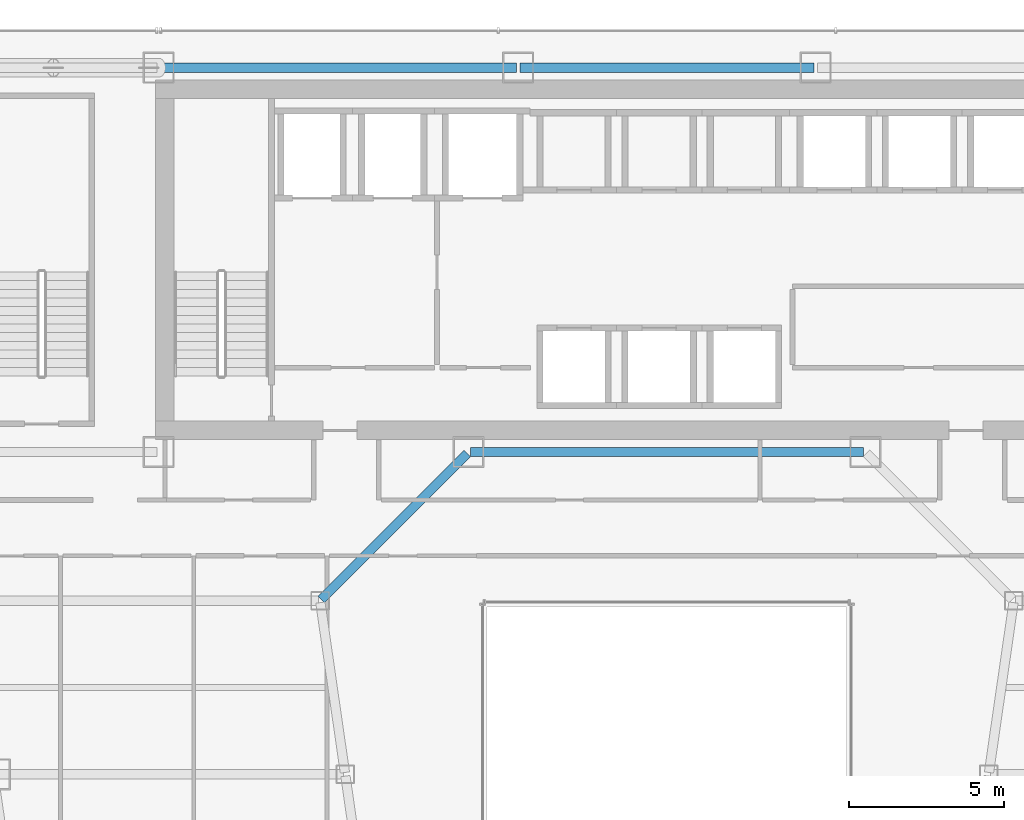
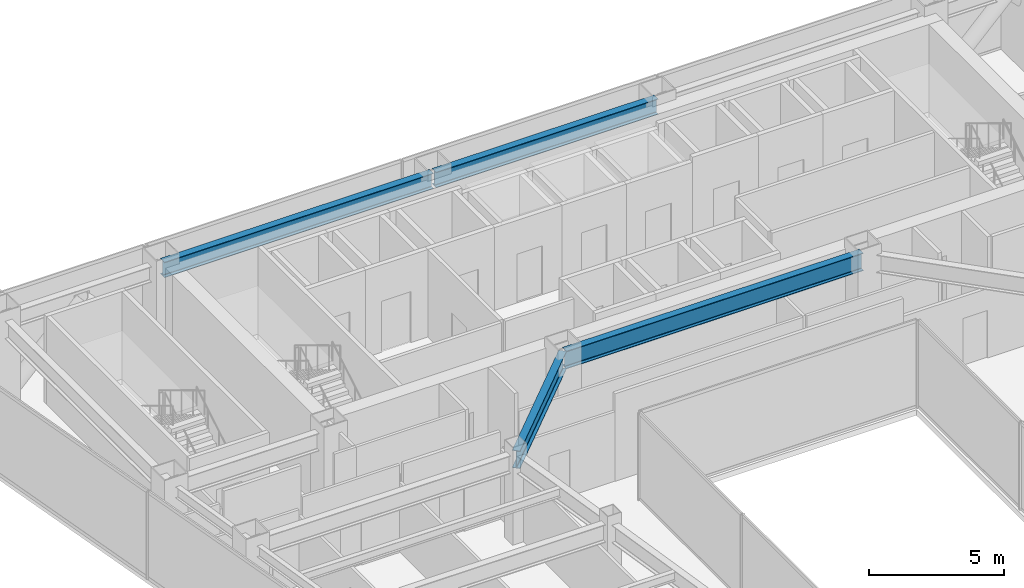
# One storey, part 20 of 36: 4 beams.
"""IFC4 building model written with IfcOpenShell, lengths in metres."""

import ifcopenshell
import ifcopenshell.guid

model = None  # the IFC model being written
_history = None  # IfcOwnerHistory: only IFC2X3 demands one
_inside = {}  # id of a spatial element -> (the spatial element, [elements in it])
_under = {}  # id of a project, library or spatial element -> (it, [spatial elements below it])
_declared = {}  # id of a project -> (the project, [libraries it declares])
_typed = {}  # id of a type object -> (the type object, [elements of that type])
_made_of = {}  # id of a material, layer set ... -> (it, [elements and type objects made of it])


def new_model(schema):
    """Start an empty IFC model of exactly this schema.

    Asked for "IFC4X3", IfcOpenShell would pick the latest addendum, in which some entities
    have other attributes; the version numbers below select the first issue.
    IFC2X3 requires an IfcOwnerHistory on every rooted entity: one is made here for all.
    """
    global model, _history
    if schema == "IFC4X3":
        model = ifcopenshell.file(schema_version=(4, 3, 0, 0))
    else:
        model = ifcopenshell.file(schema=schema)
    _inside.clear()
    _under.clear()
    _declared.clear()
    _typed.clear()
    _made_of.clear()
    _history = None
    if model.schema == "IFC2X3":
        org = make("IfcOrganization", Name="unknown")
        user = make(
            "IfcPersonAndOrganization",
            ThePerson=make("IfcPerson", FamilyName="unknown"),
            TheOrganization=org,
        )
        app = make(
            "IfcApplication",
            ApplicationDeveloper=org,
            Version="unknown",
            ApplicationFullName="unknown",
            ApplicationIdentifier="unknown",
        )
        _history = make(
            "IfcOwnerHistory",
            OwningUser=user,
            OwningApplication=app,
            ChangeAction="ADDED",
            CreationDate=0,
        )
    return model


def make(cls, **values):
    """One entity of the class cls with the attributes given. An attribute that is None is left unset."""
    return model.create_entity(
        cls, **{name: value for name, value in values.items() if value is not None}
    )


def rooted(cls, **values):
    """An entity with a GlobalId (a new one), such as an element, a storey or a relation."""
    return make(cls, GlobalId=ifcopenshell.guid.new(), OwnerHistory=_history, **values)


def si_unit(unit_type, name, prefix=None):
    """IfcSIUnit, for example si_unit("LENGTHUNIT", "METRE", prefix="MILLI")."""
    return make("IfcSIUnit", UnitType=unit_type, Prefix=prefix, Name=name)


def assignment(units):
    """IfcUnitAssignment: the units of a project."""
    return None if units is None else make("IfcUnitAssignment", Units=units)


def point(xyz):
    """IfcCartesianPoint."""
    return None if xyz is None else make("IfcCartesianPoint", Coordinates=xyz)


def direction(xyz):
    """IfcDirection."""
    return None if xyz is None else make("IfcDirection", DirectionRatios=xyz)


def frame(location, z_axis=None, x_axis=None):
    """IfcAxis2Placement3D, a coordinate frame: its origin and axes. An axis left out is left unset."""
    return make(
        "IfcAxis2Placement3D",
        Location=point(location),
        Axis=direction(z_axis),
        RefDirection=direction(x_axis),
    )


def frame_2d(location, x_axis=None):
    """IfcAxis2Placement2D, a coordinate frame in the plane: its origin and x axis."""
    return make(
        "IfcAxis2Placement2D", Location=point(location), RefDirection=direction(x_axis)
    )


def origin():
    """The frame at (0, 0, 0) with its axes left unset."""
    return frame((0.0, 0.0, 0.0))


def origin_2d():
    """The frame at (0, 0) in the plane with its x axis left unset."""
    return frame_2d((0.0, 0.0))


def place(relative_to, where):
    """IfcLocalPlacement: puts the frame where relative to a parent placement (None: the world)."""
    return make(
        "IfcLocalPlacement", PlacementRelTo=relative_to, RelativePlacement=where
    )


def context(
    kind, dimensions, precision=None, world=None, true_north=None, identifier=None
):
    """IfcGeometricRepresentationContext, for example the 3D "Model" context."""
    return make(
        "IfcGeometricRepresentationContext",
        ContextIdentifier=identifier,
        ContextType=kind,
        CoordinateSpaceDimension=dimensions,
        Precision=precision,
        WorldCoordinateSystem=world,
        TrueNorth=true_north,
    )


def subcontext(parent, identifier, kind, view, scale=None):
    """IfcGeometricRepresentationSubContext, for example "Body" below "Model"."""
    return make(
        "IfcGeometricRepresentationSubContext",
        ContextIdentifier=identifier,
        ContextType=kind,
        ParentContext=parent,
        TargetScale=scale,
        TargetView=view,
    )


def project(units=None, contexts=None):
    """IfcProject with its units and contexts."""
    return rooted(
        "IfcProject",
        Name="project",
        RepresentationContexts=contexts,
        UnitsInContext=assignment(units),
    )


def spatial(cls, under=None, at=None, **own):
    """A site, building, storey or space (cls), placed at a placement, below another one or the project."""
    s = rooted(cls, ObjectPlacement=at, **own)
    if under is not None:
        _under.setdefault(under.id(), (under, []))[1].append(s)
    return s


def profile(cls, at=None, kind="AREA", **sizes):
    """A parametric profile (cls). Its sizes go by their IFC names, for example OverallWidth=200.0."""
    return make(cls, ProfileType=kind, Position=at, **sizes)


def i_section(**sizes):
    """IfcIShapeProfileDef."""
    return profile("IfcIShapeProfileDef", **sizes)


def extrude(swept, where, along, depth):
    """IfcExtrudedAreaSolid: the profile swept, set in the frame where, extruded along a direction by depth."""
    return make(
        "IfcExtrudedAreaSolid",
        SweptArea=swept,
        Position=where,
        ExtrudedDirection=direction(along),
        Depth=depth,
    )


def shape(context_of_items, identifier, shape_type, items):
    """IfcShapeRepresentation: the items that make up one representation, for example the "Body"."""
    return make(
        "IfcShapeRepresentation",
        ContextOfItems=context_of_items,
        RepresentationIdentifier=identifier,
        RepresentationType=shape_type,
        Items=items,
    )


def material(Name=None, Category=None):
    """IfcMaterial."""
    return make("IfcMaterial", Name=Name, Category=Category)


def material_profile(
    of_material, cross_section, Name=None, Category=None, Priority=None
):
    """IfcMaterialProfile: a cross section and its material."""
    return make(
        "IfcMaterialProfile",
        Name=Name,
        Material=of_material,
        Profile=cross_section,
        Priority=Priority,
        Category=Category,
    )


def profile_set(profiles, Name=None, composite=None):
    """IfcMaterialProfileSet."""
    return make(
        "IfcMaterialProfileSet",
        Name=Name,
        MaterialProfiles=profiles,
        CompositeProfile=composite,
    )


def made_of(thing, what):
    """Note that an element or type object is made of a material, layer set ...; save() writes the relation."""
    if what is not None:
        _made_of.setdefault(what.id(), (what, []))[1].append(thing)
    return thing


def type_object(cls, material=None, **own):
    """A type object (cls), such as IfcWallType, which elements share."""
    return made_of(rooted(cls, **own), material)


def element(
    cls,
    number,
    at=None,
    inside=None,
    cuts=None,
    type_object=None,
    material=None,
    context=None,
    identifier="Body",
    shape_type=None,
    held_by="IfcProductDefinitionShape",
    body=None,
    shapes=None,
    **own,
):
    """One element of the class cls, such as IfcWall. Its Tag is "e" and its number.

    at: its placement. inside: the storey or other place that contains it. cuts: it is an
    opening in that element (IfcRelVoidsElement). A single representation is given by context,
    identifier, shape_type and body (its items); several are given by shapes. held_by: the class
    of the entity that holds the representations. save() writes the other relations.
    """
    e = rooted(cls, Tag="e%d" % number, ObjectPlacement=at, **own)
    if body is not None:
        shapes = [shape(context, identifier, shape_type, body)]
    if shapes is not None:
        e.Representation = make(held_by, Representations=shapes)
    if inside is not None:
        _inside.setdefault(inside.id(), (inside, []))[1].append(e)
    if cuts is not None:
        rooted(
            "IfcRelVoidsElement", RelatingBuildingElement=cuts, RelatedOpeningElement=e
        )
    if type_object is not None:
        _typed.setdefault(type_object.id(), (type_object, []))[1].append(e)
    return made_of(e, material)


def aggregate(whole, parts):
    """IfcRelAggregates: a whole, such as a stair, and the parts it consists of."""
    return rooted("IfcRelAggregates", RelatingObject=whole, RelatedObjects=parts)


def save(model, path):
    """Write the relations noted so far, then the file.

    IfcRelAggregates (storeys below a building ...), IfcRelContainedInSpatialStructure (elements
    in a storey), IfcRelDefinesByType, IfcRelAssociatesMaterial and IfcRelDeclares: one each for
    every whole, place, type object, material and project.
    """
    for whole, parts in _under.values():
        aggregate(whole, parts)
    for where, things in _inside.values():
        rooted(
            "IfcRelContainedInSpatialStructure",
            RelatedElements=things,
            RelatingStructure=where,
        )
    for kind, things in _typed.values():
        rooted("IfcRelDefinesByType", RelatedObjects=things, RelatingType=kind)
    for what, things in _made_of.values():
        rooted("IfcRelAssociatesMaterial", RelatedObjects=things, RelatingMaterial=what)
    for by, libraries in _declared.values():
        rooted("IfcRelDeclares", RelatingContext=by, RelatedDefinitions=libraries)
    model.write(path)


model = new_model("IFC4")

# Units and contexts
model_context = context("Model", 3, precision=1e-05, world=origin(), true_north=direction((0.0, 1.0)))
body_context = subcontext(model_context, "Body", "Model", "MODEL_VIEW")
ifc_project = project(units=[si_unit("LENGTHUNIT", "METRE"), si_unit("AREAUNIT", "SQUARE_METRE"), si_unit("VOLUMEUNIT", "CUBIC_METRE"), si_unit("PLANEANGLEUNIT", "RADIAN"), si_unit("MASSUNIT", "GRAM", prefix="KILO")], contexts=[model_context])

# Site, building, storey
site_placement = place(None, origin())
site = spatial("IfcSite", under=ifc_project, at=site_placement, CompositionType="ELEMENT")
building_placement = place(site_placement, origin())
building = spatial("IfcBuilding", under=site, at=building_placement, Name="Saevonmaru Cultural Tower", CompositionType="ELEMENT")
storey_placement = place(building_placement, frame((0.0, 0.0, 119.199951171875)))
storey = spatial("IfcBuildingStorey", under=building, at=storey_placement, Name="L25", CompositionType="ELEMENT", Elevation=119.199951171875)

# Beams
ifc_material_1 = material(Name="Steel SM420", Category="steel")
ifc_material_profile_1 = material_profile(ifc_material_1, i_section(OverallWidth=0.300048828125, OverallDepth=0.800048828125, WebThickness=0.013916015625, FlangeThickness=0.02587890625, FilletRadius=0.028076171875, at=origin_2d()), Name="H-800x300x14x26")
ifc_profile_set_1 = profile_set([ifc_material_profile_1], Name="Steel SM420")
beam_type_1 = type_object("IfcBeamType", Name="BM-G-H800", PredefinedType="BEAM", material=ifc_profile_set_1)
beam_1_placement = place(storey_placement, frame((23.659912109375, 42.39990234375, 3.550048828125), z_axis=(1.0, 0.0, 0.0), x_axis=(0.0, 1.0, 0.0)))
element("IfcBeam", 1, at=beam_1_placement, inside=storey, type_object=beam_type_1, Name="L25 Core South Girder 3", PredefinedType="BEAM", context=body_context, shape_type="SweptSolid", body=[
    extrude(i_section(OverallWidth=0.300048828125, OverallDepth=0.800048828125, WebThickness=0.013916015625, FlangeThickness=0.02587890625, FilletRadius=0.028076171875, at=origin_2d()), origin(), (0.0, 0.0, 1.0), 12.68017578125),
])
beam_2_placement = place(storey_placement, frame((18.850341796875, 37.642578125, 3.550048828125), z_axis=(0.706538566564, 0.707674539572, 0.0), x_axis=(-0.707674539572, 0.706538566564, 0.0)))
element("IfcBeam", 2, at=beam_2_placement, inside=storey, type_object=beam_type_1, Name="L25 West Atrium Girder 5", PredefinedType="BEAM", context=body_context, shape_type="SweptSolid", body=[
    extrude(i_section(OverallWidth=0.300048828125, OverallDepth=0.800048828125, WebThickness=0.013916015625, FlangeThickness=0.02587890625, FilletRadius=0.028076171875, at=origin_2d()), origin(), (0.0, 0.0, 1.0), 6.662353515625),
])
ifc_material_2 = material(Name="Steel SM355", Category="steel")
ifc_material_profile_2 = material_profile(ifc_material_2, i_section(OverallWidth=0.300048828125, OverallDepth=0.699951171875, WebThickness=0.012939453125, FlangeThickness=0.02392578125, FilletRadius=0.02587890625, at=origin_2d()), Name="H-700x300x13x24")
ifc_profile_set_2 = profile_set([ifc_material_profile_2], Name="Steel SM355")
beam_type_2 = type_object("IfcBeamType", Name="BM-SP-H700", PredefinedType="SPANDREL", material=ifc_profile_set_2)
beam_3_placement = place(storey_placement, frame((13.659912109375, 54.800048828125, 3.60009765625), z_axis=(1.0, 0.0, 0.0), x_axis=(0.0, 1.0, 0.0)))
element("IfcBeam", 3, at=beam_3_placement, inside=storey, type_object=beam_type_2, Name="L25 North Spine Girder 2", PredefinedType="SPANDREL", context=body_context, shape_type="SweptSolid", body=[
    extrude(i_section(OverallWidth=0.300048828125, OverallDepth=0.699951171875, WebThickness=0.012939453125, FlangeThickness=0.02392578125, FilletRadius=0.02587890625, at=origin_2d()), origin(), (0.0, 0.0, 1.0), 11.47998046875),
])
beam_4_placement = place(storey_placement, frame((25.260009765625, 54.800048828125, 3.60009765625), z_axis=(1.0, 0.0, 0.0), x_axis=(0.0, 1.0, 0.0)))
element("IfcBeam", 4, at=beam_4_placement, inside=storey, type_object=beam_type_2, Name="L25 North Spine Girder 3", PredefinedType="SPANDREL", context=body_context, shape_type="SweptSolid", body=[
    extrude(i_section(OverallWidth=0.300048828125, OverallDepth=0.699951171875, WebThickness=0.012939453125, FlangeThickness=0.02392578125, FilletRadius=0.02587890625, at=origin_2d()), origin(), (0.0, 0.0, 1.0), 9.47998046875),
])

save(model, "model.ifc")
